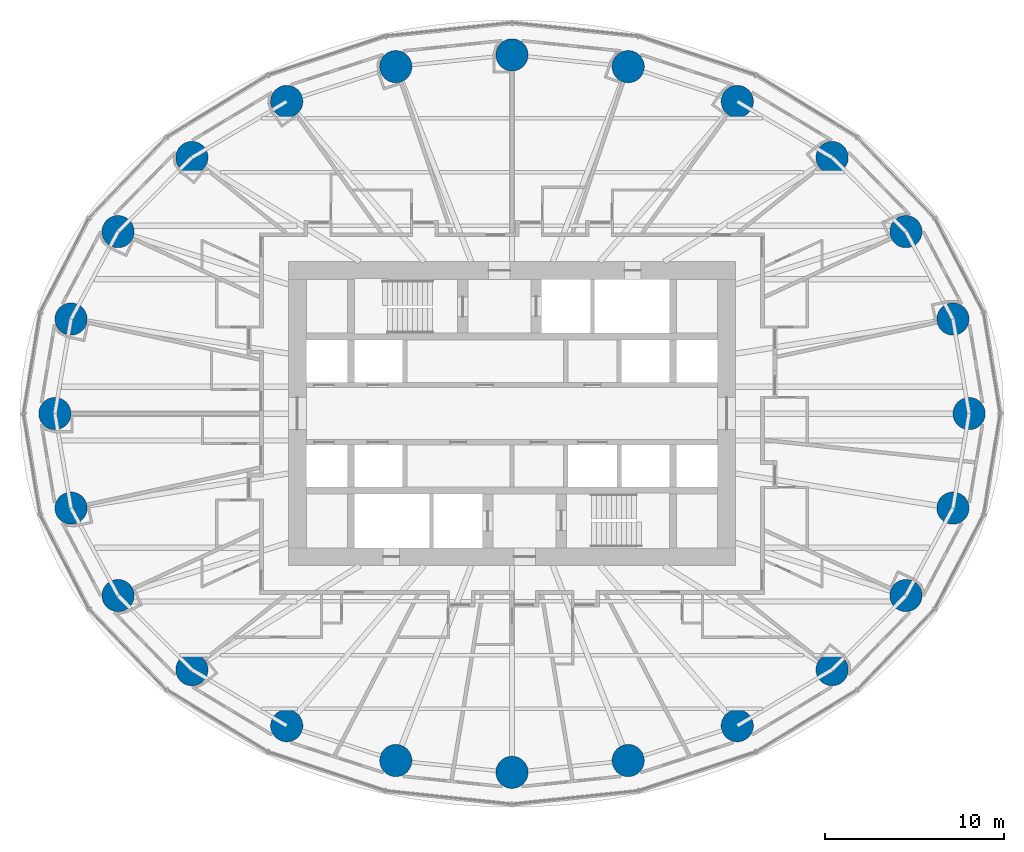
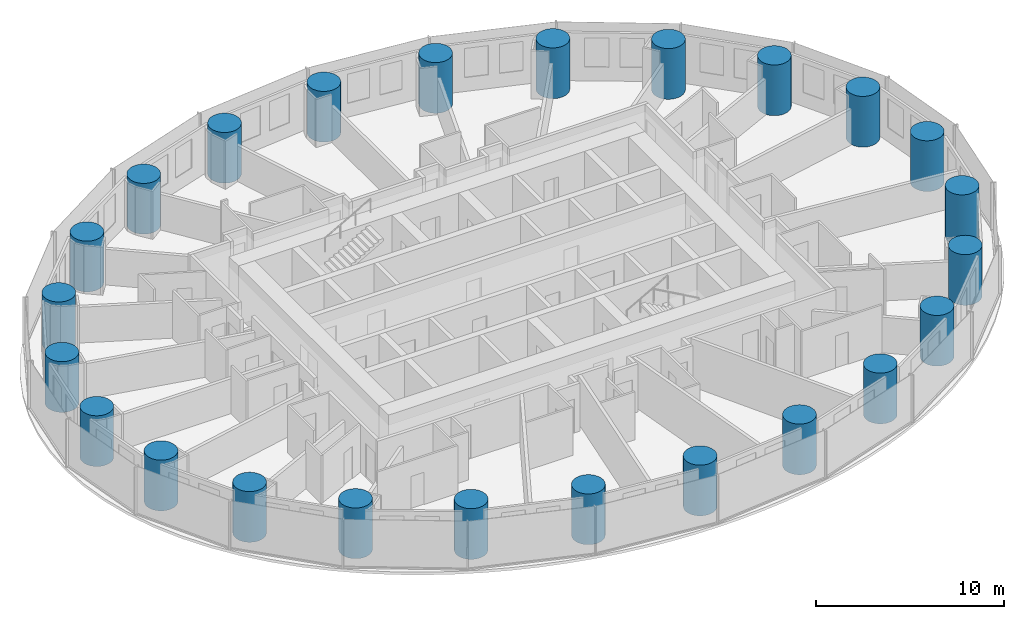
# One storey, part 1 of 14: 24 columns.
"""IFC4 building model written with IfcOpenShell, lengths in metres."""

import ifcopenshell
import ifcopenshell.guid

model = None  # the IFC model being written
_history = None  # IfcOwnerHistory: only IFC2X3 demands one
_inside = {}  # id of a spatial element -> (the spatial element, [elements in it])
_under = {}  # id of a project, library or spatial element -> (it, [spatial elements below it])
_declared = {}  # id of a project -> (the project, [libraries it declares])
_typed = {}  # id of a type object -> (the type object, [elements of that type])
_made_of = {}  # id of a material, layer set ... -> (it, [elements and type objects made of it])


def new_model(schema):
    """Start an empty IFC model of exactly this schema.

    Asked for "IFC4X3", IfcOpenShell would pick the latest addendum, in which some entities
    have other attributes; the version numbers below select the first issue.
    IFC2X3 requires an IfcOwnerHistory on every rooted entity: one is made here for all.
    """
    global model, _history
    if schema == "IFC4X3":
        model = ifcopenshell.file(schema_version=(4, 3, 0, 0))
    else:
        model = ifcopenshell.file(schema=schema)
    _inside.clear()
    _under.clear()
    _declared.clear()
    _typed.clear()
    _made_of.clear()
    _history = None
    if model.schema == "IFC2X3":
        org = make("IfcOrganization", Name="unknown")
        user = make(
            "IfcPersonAndOrganization",
            ThePerson=make("IfcPerson", FamilyName="unknown"),
            TheOrganization=org,
        )
        app = make(
            "IfcApplication",
            ApplicationDeveloper=org,
            Version="unknown",
            ApplicationFullName="unknown",
            ApplicationIdentifier="unknown",
        )
        _history = make(
            "IfcOwnerHistory",
            OwningUser=user,
            OwningApplication=app,
            ChangeAction="ADDED",
            CreationDate=0,
        )
    return model


def make(cls, **values):
    """One entity of the class cls with the attributes given. An attribute that is None is left unset."""
    return model.create_entity(
        cls, **{name: value for name, value in values.items() if value is not None}
    )


def rooted(cls, **values):
    """An entity with a GlobalId (a new one), such as an element, a storey or a relation."""
    return make(cls, GlobalId=ifcopenshell.guid.new(), OwnerHistory=_history, **values)


def si_unit(unit_type, name, prefix=None):
    """IfcSIUnit, for example si_unit("LENGTHUNIT", "METRE", prefix="MILLI")."""
    return make("IfcSIUnit", UnitType=unit_type, Prefix=prefix, Name=name)


def assignment(units):
    """IfcUnitAssignment: the units of a project."""
    return None if units is None else make("IfcUnitAssignment", Units=units)


def point(xyz):
    """IfcCartesianPoint."""
    return None if xyz is None else make("IfcCartesianPoint", Coordinates=xyz)


def direction(xyz):
    """IfcDirection."""
    return None if xyz is None else make("IfcDirection", DirectionRatios=xyz)


def frame(location, z_axis=None, x_axis=None):
    """IfcAxis2Placement3D, a coordinate frame: its origin and axes. An axis left out is left unset."""
    return make(
        "IfcAxis2Placement3D",
        Location=point(location),
        Axis=direction(z_axis),
        RefDirection=direction(x_axis),
    )


def frame_2d(location, x_axis=None):
    """IfcAxis2Placement2D, a coordinate frame in the plane: its origin and x axis."""
    return make(
        "IfcAxis2Placement2D", Location=point(location), RefDirection=direction(x_axis)
    )


def origin():
    """The frame at (0, 0, 0) with its axes left unset."""
    return frame((0.0, 0.0, 0.0))


def origin_2d():
    """The frame at (0, 0) in the plane with its x axis left unset."""
    return frame_2d((0.0, 0.0))


def place(relative_to, where):
    """IfcLocalPlacement: puts the frame where relative to a parent placement (None: the world)."""
    return make(
        "IfcLocalPlacement", PlacementRelTo=relative_to, RelativePlacement=where
    )


def context(
    kind, dimensions, precision=None, world=None, true_north=None, identifier=None
):
    """IfcGeometricRepresentationContext, for example the 3D "Model" context."""
    return make(
        "IfcGeometricRepresentationContext",
        ContextIdentifier=identifier,
        ContextType=kind,
        CoordinateSpaceDimension=dimensions,
        Precision=precision,
        WorldCoordinateSystem=world,
        TrueNorth=true_north,
    )


def subcontext(parent, identifier, kind, view, scale=None):
    """IfcGeometricRepresentationSubContext, for example "Body" below "Model"."""
    return make(
        "IfcGeometricRepresentationSubContext",
        ContextIdentifier=identifier,
        ContextType=kind,
        ParentContext=parent,
        TargetScale=scale,
        TargetView=view,
    )


def project(units=None, contexts=None):
    """IfcProject with its units and contexts."""
    return rooted(
        "IfcProject",
        Name="project",
        RepresentationContexts=contexts,
        UnitsInContext=assignment(units),
    )


def spatial(cls, under=None, at=None, **own):
    """A site, building, storey or space (cls), placed at a placement, below another one or the project."""
    s = rooted(cls, ObjectPlacement=at, **own)
    if under is not None:
        _under.setdefault(under.id(), (under, []))[1].append(s)
    return s


def profile(cls, at=None, kind="AREA", **sizes):
    """A parametric profile (cls). Its sizes go by their IFC names, for example OverallWidth=200.0."""
    return make(cls, ProfileType=kind, Position=at, **sizes)


def circle(**sizes):
    """IfcCircleProfileDef."""
    return profile("IfcCircleProfileDef", **sizes)


def extrude(swept, where, along, depth):
    """IfcExtrudedAreaSolid: the profile swept, set in the frame where, extruded along a direction by depth."""
    return make(
        "IfcExtrudedAreaSolid",
        SweptArea=swept,
        Position=where,
        ExtrudedDirection=direction(along),
        Depth=depth,
    )


def shape(context_of_items, identifier, shape_type, items):
    """IfcShapeRepresentation: the items that make up one representation, for example the "Body"."""
    return make(
        "IfcShapeRepresentation",
        ContextOfItems=context_of_items,
        RepresentationIdentifier=identifier,
        RepresentationType=shape_type,
        Items=items,
    )


def material(Name=None, Category=None):
    """IfcMaterial."""
    return make("IfcMaterial", Name=Name, Category=Category)


def material_profile(
    of_material, cross_section, Name=None, Category=None, Priority=None
):
    """IfcMaterialProfile: a cross section and its material."""
    return make(
        "IfcMaterialProfile",
        Name=Name,
        Material=of_material,
        Profile=cross_section,
        Priority=Priority,
        Category=Category,
    )


def profile_set(profiles, Name=None, composite=None):
    """IfcMaterialProfileSet."""
    return make(
        "IfcMaterialProfileSet",
        Name=Name,
        MaterialProfiles=profiles,
        CompositeProfile=composite,
    )


def made_of(thing, what):
    """Note that an element or type object is made of a material, layer set ...; save() writes the relation."""
    if what is not None:
        _made_of.setdefault(what.id(), (what, []))[1].append(thing)
    return thing


def type_object(cls, material=None, **own):
    """A type object (cls), such as IfcWallType, which elements share."""
    return made_of(rooted(cls, **own), material)


def element(
    cls,
    number,
    at=None,
    inside=None,
    cuts=None,
    type_object=None,
    material=None,
    context=None,
    identifier="Body",
    shape_type=None,
    held_by="IfcProductDefinitionShape",
    body=None,
    shapes=None,
    **own,
):
    """One element of the class cls, such as IfcWall. Its Tag is "e" and its number.

    at: its placement. inside: the storey or other place that contains it. cuts: it is an
    opening in that element (IfcRelVoidsElement). A single representation is given by context,
    identifier, shape_type and body (its items); several are given by shapes. held_by: the class
    of the entity that holds the representations. save() writes the other relations.
    """
    e = rooted(cls, Tag="e%d" % number, ObjectPlacement=at, **own)
    if body is not None:
        shapes = [shape(context, identifier, shape_type, body)]
    if shapes is not None:
        e.Representation = make(held_by, Representations=shapes)
    if inside is not None:
        _inside.setdefault(inside.id(), (inside, []))[1].append(e)
    if cuts is not None:
        rooted(
            "IfcRelVoidsElement", RelatingBuildingElement=cuts, RelatedOpeningElement=e
        )
    if type_object is not None:
        _typed.setdefault(type_object.id(), (type_object, []))[1].append(e)
    return made_of(e, material)


def aggregate(whole, parts):
    """IfcRelAggregates: a whole, such as a stair, and the parts it consists of."""
    return rooted("IfcRelAggregates", RelatingObject=whole, RelatedObjects=parts)


def save(model, path):
    """Write the relations noted so far, then the file.

    IfcRelAggregates (storeys below a building ...), IfcRelContainedInSpatialStructure (elements
    in a storey), IfcRelDefinesByType, IfcRelAssociatesMaterial and IfcRelDeclares: one each for
    every whole, place, type object, material and project.
    """
    for whole, parts in _under.values():
        aggregate(whole, parts)
    for where, things in _inside.values():
        rooted(
            "IfcRelContainedInSpatialStructure",
            RelatedElements=things,
            RelatingStructure=where,
        )
    for kind, things in _typed.values():
        rooted("IfcRelDefinesByType", RelatedObjects=things, RelatingType=kind)
    for what, things in _made_of.values():
        rooted("IfcRelAssociatesMaterial", RelatedObjects=things, RelatingMaterial=what)
    for by, libraries in _declared.values():
        rooted("IfcRelDeclares", RelatingContext=by, RelatedDefinitions=libraries)
    model.write(path)


model = new_model("IFC4")

# Units and contexts
model_context = context("Model", 3, precision=1e-05, world=origin(), true_north=direction((0.0, 1.0)))
body_context = subcontext(model_context, "Body", "Model", "MODEL_VIEW")
ifc_project = project(units=[si_unit("LENGTHUNIT", "METRE"), si_unit("AREAUNIT", "SQUARE_METRE"), si_unit("VOLUMEUNIT", "CUBIC_METRE"), si_unit("PLANEANGLEUNIT", "RADIAN"), si_unit("MASSUNIT", "GRAM", prefix="KILO")], contexts=[model_context])

# Site, building, storey
site_placement = place(None, origin())
site = spatial("IfcSite", under=ifc_project, at=site_placement, CompositionType="ELEMENT")
building_placement = place(site_placement, origin())
building = spatial("IfcBuilding", under=site, at=building_placement, Name="Hankou Lantern Tower", CompositionType="ELEMENT")
storey_placement = place(building_placement, frame((0.0, 0.0, 29.39990234375)))
storey = spatial("IfcBuildingStorey", under=building, at=storey_placement, Name="L05", CompositionType="ELEMENT", Elevation=29.39990234375)

# Columns
ifc_material = material(Name="Concrete C60", Category="concrete")
ifc_material_profile = material_profile(ifc_material, circle(Radius=0.89990234375, at=origin_2d()), Name="RC D1800")
ifc_profile_set = profile_set([ifc_material_profile], Name="Concrete C60")
column_type = type_object("IfcColumnType", Name="TC1 PERIMETER COLUMN RC D1800", PredefinedType="COLUMN", material=ifc_profile_set)
for number, where, z_axis, x_axis, name in (
    (1, (25.550048828125, 0.0, 0.0), (0.0, 0.0, 1.0), (1.0, 0.0, 0.0), "Column R01 L05"),
    (2, (24.64697265625, 5.283203125, 0.0), (0.0, 0.0, 1.0), (1.0, 0.0, 0.0), "Column R02 L05"),
    (3, (22.01904296875, 10.170166015625, 0.0), (0.0, 0.0, 1.0), (1.0, 0.0, 0.0), "Column R03 L05"),
    (4, (17.891845703125, 14.3134765625, 0.0), (0.0, 0.0, 1.0), (1.0, 0.0, 0.0), "Column R04 L05"),
    (5, (12.5908203125, 17.446533203125, 0.0), (0.0, 0.0, 1.0), (1.0, 0.0, 0.0), "Column R05 L05"),
    (6, (6.494873046875, 19.391357421875, 0.0), (0.0, 0.0, 1.0), (1.0, 0.0, 0.0), "Column R06 L05"),
    (7, (0.0, 20.050048828125, 0.0), (0.0, 0.0, 1.0), (1.0, 0.0, 0.0), "Column R07 L05"),
    (8, (-6.494873046875, 19.391357421875, 0.0), (0.0, 0.0, 1.0), (1.0, 0.0, 0.0), "Column R08 L05"),
    (9, (-12.5908203125, 17.446533203125, 0.0), (0.0, 0.0, 1.0), (1.0, 0.0, 0.0), "Column R09 L05"),
    (10, (-17.891845703125, 14.3134765625, 0.0), (0.0, 0.0, 1.0), (1.0, 0.0, 0.0), "Column R10 L05"),
    (11, (-22.01904296875, 10.170166015625, 0.0), (0.0, 0.0, 1.0), (1.0, 0.0, 0.0), "Column R11 L05"),
    (12, (-24.64697265625, 5.283203125, 0.0), (0.0, 0.0, 1.0), (1.0, 0.0, 0.0), "Column R12 L05"),
    (13, (-25.550048828125, 0.0, 0.0), (0.0, 0.0, 1.0), (1.0, 0.0, 0.0), "Column R13 L05"),
    (14, (-24.64697265625, -5.283203125, 0.0), (0.0, 0.0, 1.0), (1.0, 0.0, 0.0), "Column R14 L05"),
    (15, (-22.01904296875, -10.170166015625, 0.0), (0.0, 0.0, 1.0), (1.0, 0.0, 0.0), "Column R15 L05"),
    (16, (-17.891845703125, -14.3134765625, 0.0), (0.0, 0.0, 1.0), (1.0, 0.0, 0.0), "Column R16 L05"),
    (17, (-12.5908203125, -17.446533203125, 0.0), (0.0, 0.0, 1.0), (1.0, 0.0, 0.0), "Column R17 L05"),
    (18, (-6.494873046875, -19.391357421875, 0.0), (0.0, 0.0, 1.0), (1.0, 0.0, 0.0), "Column R18 L05"),
    (19, (0.0, -20.050048828125, 0.0), (0.0, 0.0, 1.0), (1.0, 0.0, 0.0), "Column R19 L05"),
    (20, (6.494873046875, -19.391357421875, 0.0), (0.0, 0.0, 1.0), (1.0, 0.0, 0.0), "Column R20 L05"),
    (21, (12.5908203125, -17.446533203125, 0.0), (0.0, 0.0, 1.0), (1.0, 0.0, 0.0), "Column R21 L05"),
    (22, (17.891845703125, -14.3134765625, 0.0), (0.0, 0.0, 1.0), (1.0, 0.0, 0.0), "Column R22 L05"),
    (23, (22.01904296875, -10.170166015625, 0.0), (0.0, 0.0, 1.0), (1.0, 0.0, 0.0), "Column R23 L05"),
    (24, (24.64697265625, -5.283203125, 0.0), (0.0, 0.0, 1.0), (1.0, 0.0, 0.0), "Column R24 L05"),
):
    element("IfcColumn", number, at=place(storey_placement, frame(where, z_axis=z_axis, x_axis=x_axis)), inside=storey, type_object=column_type, Name=name, PredefinedType="COLUMN", context=body_context, shape_type="SweptSolid", body=[
        extrude(circle(Radius=0.89990234375, at=origin_2d()), origin(), (0.0, 0.0, 1.0), 3.300048828125),
    ])

save(model, "model.ifc")
